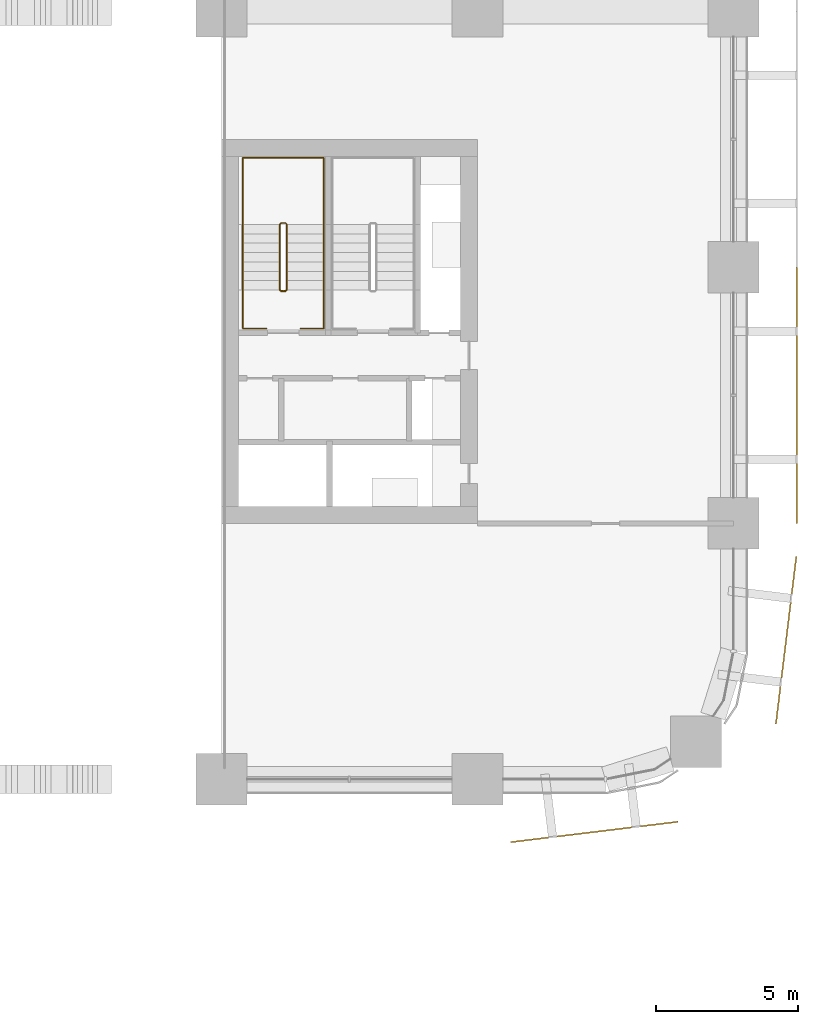
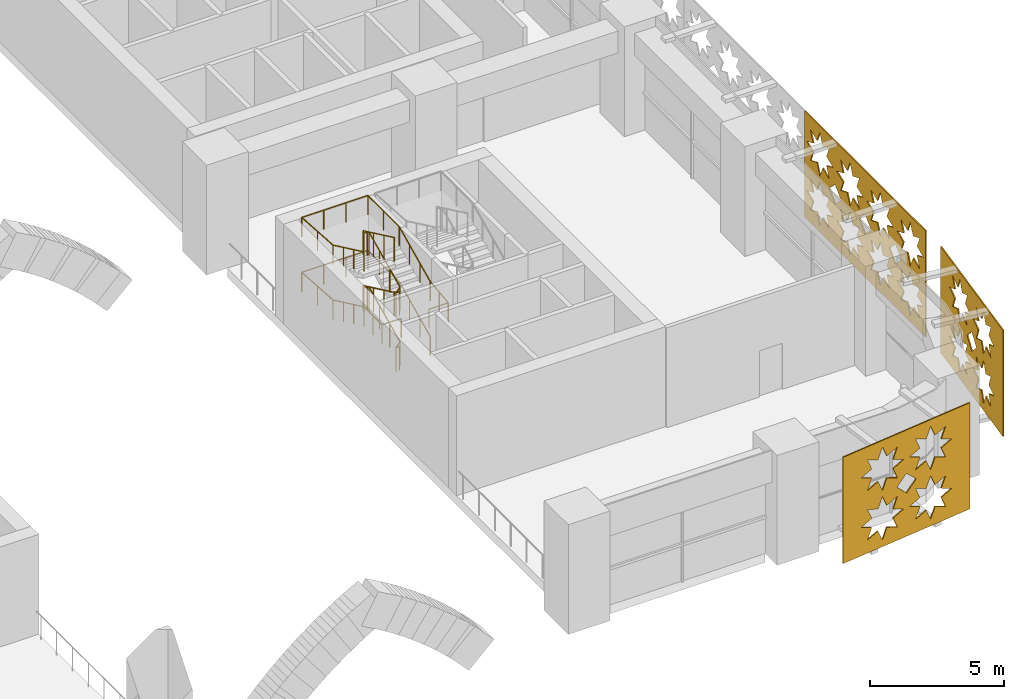
# One storey, part 34 of 40: 3 coverings, 3 railings.
"""IFC4 building model written with IfcOpenShell, lengths in metres."""

import ifcopenshell
import ifcopenshell.guid

model = None  # the IFC model being written
_history = None  # IfcOwnerHistory: only IFC2X3 demands one
_inside = {}  # id of a spatial element -> (the spatial element, [elements in it])
_under = {}  # id of a project, library or spatial element -> (it, [spatial elements below it])
_declared = {}  # id of a project -> (the project, [libraries it declares])
_typed = {}  # id of a type object -> (the type object, [elements of that type])
_made_of = {}  # id of a material, layer set ... -> (it, [elements and type objects made of it])


def new_model(schema):
    """Start an empty IFC model of exactly this schema.

    Asked for "IFC4X3", IfcOpenShell would pick the latest addendum, in which some entities
    have other attributes; the version numbers below select the first issue.
    IFC2X3 requires an IfcOwnerHistory on every rooted entity: one is made here for all.
    """
    global model, _history
    if schema == "IFC4X3":
        model = ifcopenshell.file(schema_version=(4, 3, 0, 0))
    else:
        model = ifcopenshell.file(schema=schema)
    _inside.clear()
    _under.clear()
    _declared.clear()
    _typed.clear()
    _made_of.clear()
    _history = None
    if model.schema == "IFC2X3":
        org = make("IfcOrganization", Name="unknown")
        user = make(
            "IfcPersonAndOrganization",
            ThePerson=make("IfcPerson", FamilyName="unknown"),
            TheOrganization=org,
        )
        app = make(
            "IfcApplication",
            ApplicationDeveloper=org,
            Version="unknown",
            ApplicationFullName="unknown",
            ApplicationIdentifier="unknown",
        )
        _history = make(
            "IfcOwnerHistory",
            OwningUser=user,
            OwningApplication=app,
            ChangeAction="ADDED",
            CreationDate=0,
        )
    return model


def make(cls, **values):
    """One entity of the class cls with the attributes given. An attribute that is None is left unset."""
    return model.create_entity(
        cls, **{name: value for name, value in values.items() if value is not None}
    )


def rooted(cls, **values):
    """An entity with a GlobalId (a new one), such as an element, a storey or a relation."""
    return make(cls, GlobalId=ifcopenshell.guid.new(), OwnerHistory=_history, **values)


def si_unit(unit_type, name, prefix=None):
    """IfcSIUnit, for example si_unit("LENGTHUNIT", "METRE", prefix="MILLI")."""
    return make("IfcSIUnit", UnitType=unit_type, Prefix=prefix, Name=name)


def assignment(units):
    """IfcUnitAssignment: the units of a project."""
    return None if units is None else make("IfcUnitAssignment", Units=units)


def point(xyz):
    """IfcCartesianPoint."""
    return None if xyz is None else make("IfcCartesianPoint", Coordinates=xyz)


def direction(xyz):
    """IfcDirection."""
    return None if xyz is None else make("IfcDirection", DirectionRatios=xyz)


def frame(location, z_axis=None, x_axis=None):
    """IfcAxis2Placement3D, a coordinate frame: its origin and axes. An axis left out is left unset."""
    return make(
        "IfcAxis2Placement3D",
        Location=point(location),
        Axis=direction(z_axis),
        RefDirection=direction(x_axis),
    )


def frame_2d(location, x_axis=None):
    """IfcAxis2Placement2D, a coordinate frame in the plane: its origin and x axis."""
    return make(
        "IfcAxis2Placement2D", Location=point(location), RefDirection=direction(x_axis)
    )


def origin():
    """The frame at (0, 0, 0) with its axes left unset."""
    return frame((0.0, 0.0, 0.0))


def origin_2d():
    """The frame at (0, 0) in the plane with its x axis left unset."""
    return frame_2d((0.0, 0.0))


def place(relative_to, where):
    """IfcLocalPlacement: puts the frame where relative to a parent placement (None: the world)."""
    return make(
        "IfcLocalPlacement", PlacementRelTo=relative_to, RelativePlacement=where
    )


def context(
    kind, dimensions, precision=None, world=None, true_north=None, identifier=None
):
    """IfcGeometricRepresentationContext, for example the 3D "Model" context."""
    return make(
        "IfcGeometricRepresentationContext",
        ContextIdentifier=identifier,
        ContextType=kind,
        CoordinateSpaceDimension=dimensions,
        Precision=precision,
        WorldCoordinateSystem=world,
        TrueNorth=true_north,
    )


def subcontext(parent, identifier, kind, view, scale=None):
    """IfcGeometricRepresentationSubContext, for example "Body" below "Model"."""
    return make(
        "IfcGeometricRepresentationSubContext",
        ContextIdentifier=identifier,
        ContextType=kind,
        ParentContext=parent,
        TargetScale=scale,
        TargetView=view,
    )


def project(units=None, contexts=None):
    """IfcProject with its units and contexts."""
    return rooted(
        "IfcProject",
        Name="project",
        RepresentationContexts=contexts,
        UnitsInContext=assignment(units),
    )


def spatial(cls, under=None, at=None, **own):
    """A site, building, storey or space (cls), placed at a placement, below another one or the project."""
    s = rooted(cls, ObjectPlacement=at, **own)
    if under is not None:
        _under.setdefault(under.id(), (under, []))[1].append(s)
    return s


def polyline(points):
    """IfcPolyline through the points."""
    return make("IfcPolyline", Points=[point(p) for p in points])


def profile(cls, at=None, kind="AREA", **sizes):
    """A parametric profile (cls). Its sizes go by their IFC names, for example OverallWidth=200.0."""
    return make(cls, ProfileType=kind, Position=at, **sizes)


def circle(**sizes):
    """IfcCircleProfileDef."""
    return profile("IfcCircleProfileDef", **sizes)


def outline(outer, holes=None, kind="AREA"):
    """IfcArbitraryClosedProfileDef: a profile drawn as a closed curve; with holes, ...WithVoids."""
    if holes is None:
        return make("IfcArbitraryClosedProfileDef", ProfileType=kind, OuterCurve=outer)
    return make(
        "IfcArbitraryProfileDefWithVoids",
        ProfileType=kind,
        OuterCurve=outer,
        InnerCurves=holes,
    )


def extrude(swept, where, along, depth):
    """IfcExtrudedAreaSolid: the profile swept, set in the frame where, extruded along a direction by depth."""
    return make(
        "IfcExtrudedAreaSolid",
        SweptArea=swept,
        Position=where,
        ExtrudedDirection=direction(along),
        Depth=depth,
    )


def shape(context_of_items, identifier, shape_type, items):
    """IfcShapeRepresentation: the items that make up one representation, for example the "Body"."""
    return make(
        "IfcShapeRepresentation",
        ContextOfItems=context_of_items,
        RepresentationIdentifier=identifier,
        RepresentationType=shape_type,
        Items=items,
    )


def material(Name=None, Category=None):
    """IfcMaterial."""
    return make("IfcMaterial", Name=Name, Category=Category)


def layer(
    of_material, thickness, ventilated=None, Name=None, Category=None, Priority=None
):
    """IfcMaterialLayer: one layer of a wall or slab, of a material (None: an air gap)."""
    return make(
        "IfcMaterialLayer",
        Material=of_material,
        LayerThickness=thickness,
        IsVentilated=ventilated,
        Name=Name,
        Category=Category,
        Priority=Priority,
    )


def layer_set(layers, Name=None):
    """IfcMaterialLayerSet."""
    return make("IfcMaterialLayerSet", MaterialLayers=layers, LayerSetName=Name)


def made_of(thing, what):
    """Note that an element or type object is made of a material, layer set ...; save() writes the relation."""
    if what is not None:
        _made_of.setdefault(what.id(), (what, []))[1].append(thing)
    return thing


def type_object(cls, material=None, **own):
    """A type object (cls), such as IfcWallType, which elements share."""
    return made_of(rooted(cls, **own), material)


def element(
    cls,
    number,
    at=None,
    inside=None,
    cuts=None,
    type_object=None,
    material=None,
    context=None,
    identifier="Body",
    shape_type=None,
    held_by="IfcProductDefinitionShape",
    body=None,
    shapes=None,
    **own,
):
    """One element of the class cls, such as IfcWall. Its Tag is "e" and its number.

    at: its placement. inside: the storey or other place that contains it. cuts: it is an
    opening in that element (IfcRelVoidsElement). A single representation is given by context,
    identifier, shape_type and body (its items); several are given by shapes. held_by: the class
    of the entity that holds the representations. save() writes the other relations.
    """
    e = rooted(cls, Tag="e%d" % number, ObjectPlacement=at, **own)
    if body is not None:
        shapes = [shape(context, identifier, shape_type, body)]
    if shapes is not None:
        e.Representation = make(held_by, Representations=shapes)
    if inside is not None:
        _inside.setdefault(inside.id(), (inside, []))[1].append(e)
    if cuts is not None:
        rooted(
            "IfcRelVoidsElement", RelatingBuildingElement=cuts, RelatedOpeningElement=e
        )
    if type_object is not None:
        _typed.setdefault(type_object.id(), (type_object, []))[1].append(e)
    return made_of(e, material)


def aggregate(whole, parts):
    """IfcRelAggregates: a whole, such as a stair, and the parts it consists of."""
    return rooted("IfcRelAggregates", RelatingObject=whole, RelatedObjects=parts)


def save(model, path):
    """Write the relations noted so far, then the file.

    IfcRelAggregates (storeys below a building ...), IfcRelContainedInSpatialStructure (elements
    in a storey), IfcRelDefinesByType, IfcRelAssociatesMaterial and IfcRelDeclares: one each for
    every whole, place, type object, material and project.
    """
    for whole, parts in _under.values():
        aggregate(whole, parts)
    for where, things in _inside.values():
        rooted(
            "IfcRelContainedInSpatialStructure",
            RelatedElements=things,
            RelatingStructure=where,
        )
    for kind, things in _typed.values():
        rooted("IfcRelDefinesByType", RelatedObjects=things, RelatingType=kind)
    for what, things in _made_of.values():
        rooted("IfcRelAssociatesMaterial", RelatedObjects=things, RelatingMaterial=what)
    for by, libraries in _declared.values():
        rooted("IfcRelDeclares", RelatingContext=by, RelatedDefinitions=libraries)
    model.write(path)


model = new_model("IFC4")

# Units and contexts
model_context = context("Model", 3, precision=1e-05, world=origin(), true_north=direction((0.0, 1.0)))
body_context = subcontext(model_context, "Body", "Model", "MODEL_VIEW")
ifc_project = project(units=[si_unit("LENGTHUNIT", "METRE"), si_unit("AREAUNIT", "SQUARE_METRE"), si_unit("VOLUMEUNIT", "CUBIC_METRE"), si_unit("PLANEANGLEUNIT", "RADIAN"), si_unit("MASSUNIT", "GRAM", prefix="KILO")], contexts=[model_context])

# Site, building, storey
site_placement = place(None, origin())
site = spatial("IfcSite", under=ifc_project, at=site_placement, CompositionType="ELEMENT")
building_placement = place(site_placement, origin())
building = spatial("IfcBuilding", under=site, at=building_placement, Name="Tessera Arch", CompositionType="ELEMENT")
storey_placement = place(building_placement, frame((0.0, 0.0, 21.0)))
storey = spatial("IfcBuildingStorey", under=building, at=storey_placement, Name="L03", CompositionType="ELEMENT", Elevation=21.0)

# Coverings
ifc_material_1 = material(Name="Anodised aluminium pale metal", Category="aluminium")
ifc_layer = layer(ifc_material_1, 0.050048828125)
ifc_layer_set = layer_set([ifc_layer], Name="Base lattice panel pale metal")
covering_type = type_object("IfcCoveringType", Name="Base lattice panel pale metal", PredefinedType="CLADDING", material=ifc_layer_set)
covering_1_placement = place(storey_placement, frame((56.199951171875, 9.0, 5.0), z_axis=(-1.0, 0.0, 0.0), x_axis=(0.0, 1.0, 0.0)))
element("IfcCovering", 1, at=covering_1_placement, inside=storey, type_object=covering_type, Name="Base lattice panel E54.0/0 L03", PredefinedType="CLADDING", context=body_context, shape_type="SweptSolid", body=[
    extrude(outline(polyline([(0.0, 0.0), (9.0, 0.0), (9.0, 4.840087890625), (0.0, 4.840087890625), (0.0, 0.0)]), holes=[polyline([(2.114990234375, 3.544921875), (1.6240234375, 3.337890625), (1.824951171875, 2.844970703125), (1.33203125, 3.0458984375), (1.125, 2.554931640625), (0.91796875, 3.0458984375), (0.425048828125, 2.844970703125), (0.6259765625, 3.337890625), (0.135009765625, 3.544921875), (0.6259765625, 3.751953125), (0.425048828125, 4.2451171875), (0.91796875, 4.0439453125), (1.125, 4.534912109375), (1.33203125, 4.0439453125), (1.824951171875, 4.2451171875), (1.6240234375, 3.751953125), (2.114990234375, 3.544921875)]), polyline([(2.114990234375, 1.294921875), (1.6240234375, 1.087890625), (1.824951171875, 0.594970703125), (1.33203125, 0.7958984375), (1.125, 0.304931640625), (0.91796875, 0.7958984375), (0.425048828125, 0.594970703125), (0.6259765625, 1.087890625), (0.135009765625, 1.294921875), (0.6259765625, 1.501953125), (0.425048828125, 1.9951171875), (0.91796875, 1.7939453125), (1.125, 2.284912109375), (1.33203125, 1.7939453125), (1.824951171875, 1.9951171875), (1.6240234375, 1.501953125), (2.114990234375, 1.294921875)]), polyline([(4.364990234375, 3.544921875), (3.8740234375, 3.337890625), (4.074951171875, 2.844970703125), (3.58203125, 3.0458984375), (3.375, 2.554931640625), (3.16796875, 3.0458984375), (2.675048828125, 2.844970703125), (2.8759765625, 3.337890625), (2.385009765625, 3.544921875), (2.8759765625, 3.751953125), (2.675048828125, 4.2451171875), (3.16796875, 4.0439453125), (3.375, 4.534912109375), (3.58203125, 4.0439453125), (4.074951171875, 4.2451171875), (3.8740234375, 3.751953125), (4.364990234375, 3.544921875)]), polyline([(4.364990234375, 1.294921875), (3.8740234375, 1.087890625), (4.074951171875, 0.594970703125), (3.58203125, 0.7958984375), (3.375, 0.304931640625), (3.16796875, 0.7958984375), (2.675048828125, 0.594970703125), (2.8759765625, 1.087890625), (2.385009765625, 1.294921875), (2.8759765625, 1.501953125), (2.675048828125, 1.9951171875), (3.16796875, 1.7939453125), (3.375, 2.284912109375), (3.58203125, 1.7939453125), (4.074951171875, 1.9951171875), (3.8740234375, 1.501953125), (4.364990234375, 1.294921875)]), polyline([(6.614990234375, 3.544921875), (6.1240234375, 3.337890625), (6.324951171875, 2.844970703125), (5.83203125, 3.0458984375), (5.625, 2.554931640625), (5.41796875, 3.0458984375), (4.925048828125, 2.844970703125), (5.1259765625, 3.337890625), (4.635009765625, 3.544921875), (5.1259765625, 3.751953125), (4.925048828125, 4.2451171875), (5.41796875, 4.0439453125), (5.625, 4.534912109375), (5.83203125, 4.0439453125), (6.324951171875, 4.2451171875), (6.1240234375, 3.751953125), (6.614990234375, 3.544921875)]), polyline([(6.614990234375, 1.294921875), (6.1240234375, 1.087890625), (6.324951171875, 0.594970703125), (5.83203125, 0.7958984375), (5.625, 0.304931640625), (5.41796875, 0.7958984375), (4.925048828125, 0.594970703125), (5.1259765625, 1.087890625), (4.635009765625, 1.294921875), (5.1259765625, 1.501953125), (4.925048828125, 1.9951171875), (5.41796875, 1.7939453125), (5.625, 2.284912109375), (5.83203125, 1.7939453125), (6.324951171875, 1.9951171875), (6.1240234375, 1.501953125), (6.614990234375, 1.294921875)]), polyline([(8.864990234375, 3.544921875), (8.3740234375, 3.337890625), (8.574951171875, 2.844970703125), (8.08203125, 3.0458984375), (7.875, 2.554931640625), (7.66796875, 3.0458984375), (7.175048828125, 2.844970703125), (7.3759765625, 3.337890625), (6.885009765625, 3.544921875), (7.3759765625, 3.751953125), (7.175048828125, 4.2451171875), (7.66796875, 4.0439453125), (7.875, 4.534912109375), (8.08203125, 4.0439453125), (8.574951171875, 4.2451171875), (8.3740234375, 3.751953125), (8.864990234375, 3.544921875)]), polyline([(8.864990234375, 1.294921875), (8.3740234375, 1.087890625), (8.574951171875, 0.594970703125), (8.08203125, 0.7958984375), (7.875, 0.304931640625), (7.66796875, 0.7958984375), (7.175048828125, 0.594970703125), (7.3759765625, 1.087890625), (6.885009765625, 1.294921875), (7.3759765625, 1.501953125), (7.175048828125, 1.9951171875), (7.66796875, 1.7939453125), (7.875, 2.284912109375), (8.08203125, 1.7939453125), (8.574951171875, 1.9951171875), (8.3740234375, 1.501953125), (8.864990234375, 1.294921875)]), polyline([(2.699951171875, 2.419921875), (2.25, 1.969970703125), (1.800048828125, 2.419921875), (2.25, 2.8701171875), (2.699951171875, 2.419921875)]), polyline([(4.949951171875, 2.419921875), (4.5, 1.969970703125), (4.050048828125, 2.419921875), (4.5, 2.8701171875), (4.949951171875, 2.419921875)]), polyline([(7.199951171875, 2.419921875), (6.75, 1.969970703125), (6.300048828125, 2.419921875), (6.75, 2.8701171875), (7.199951171875, 2.419921875)])]), origin(), (0.0, 0.0, -1.0), 0.050048828125),
])
covering_2_placement = place(storey_placement, frame((46.166015625, -2.183837890625, 5.0), z_axis=(-0.120966249049, 0.992656620686, 0.0), x_axis=(0.992656620686, 0.120966249049, 0.0)))
element("IfcCovering", 2, at=covering_2_placement, inside=storey, type_object=covering_type, Name="Base lattice panel S0.36/1 L03", PredefinedType="CLADDING", context=body_context, shape_type="SweptSolid", body=[
    extrude(outline(polyline([(0.0, 0.0), (5.925593962252626, 0.0), (5.925593962252626, 4.840087890625), (0.0, 4.840087890625), (0.0, 0.0)]), holes=[polyline([(2.828132860395926, 3.544921875), (2.336987823767969, 3.337890625), (2.53815207532478, 2.844970703125), (2.0440693322277617, 3.0458984375), (1.8379695261883193, 2.554931640625), (1.6311131439498763, 3.0458984375), (1.1379997920839962, 2.844970703125), (1.3391640436408068, 3.337890625), (0.84801900701285, 3.544921875), (1.3391640436408068, 3.751953125), (1.1379997920839962, 4.2451171875), (1.6311131439498763, 4.0439453125), (1.8379695261883193, 4.534912109375), (2.0440693322277617, 4.0439453125), (2.53815207532478, 4.2451171875), (2.336987823767969, 3.751953125), (2.828132860395926, 3.544921875)]), polyline([(2.828132860395926, 1.294921875), (2.336987823767969, 1.087890625), (2.53815207532478, 0.594970703125), (2.0440693322277617, 0.7958984375), (1.8379695261883193, 0.304931640625), (1.6311131439498763, 0.7958984375), (1.1379997920839962, 0.594970703125), (1.3391640436408068, 1.087890625), (0.84801900701285, 1.294921875), (1.3391640436408068, 1.501953125), (1.1379997920839962, 1.9951171875), (1.6311131439498763, 1.7939453125), (1.8379695261883193, 2.284912109375), (2.0440693322277617, 1.7939453125), (2.53815207532478, 1.9951171875), (2.336987823767969, 1.501953125), (2.828132860395926, 1.294921875)]), polyline([(5.078059650855345, 3.544921875), (4.5871569620351735, 3.337890625), (4.7880788657841995, 2.844970703125), (4.294208937719319, 3.0458984375), (4.088109131679876, 2.554931640625), (3.8810399344092956, 3.0458984375), (3.3881393975755536, 2.844970703125), (3.5890908341002263, 3.337890625), (3.0979457974722693, 3.544921875), (3.5890908341002263, 3.751953125), (3.3881393975755536, 4.2451171875), (3.8810399344092956, 4.0439453125), (4.088109131679876, 4.534912109375), (4.294208937719319, 4.0439453125), (4.7880788657841995, 4.2451171875), (4.5871569620351735, 3.751953125), (5.078059650855345, 3.544921875)]), polyline([(5.078059650855345, 1.294921875), (4.5871569620351735, 1.087890625), (4.7880788657841995, 0.594970703125), (4.294208937719319, 0.7958984375), (4.088109131679876, 0.304931640625), (3.8810399344092956, 0.7958984375), (3.3881393975755536, 0.594970703125), (3.5890908341002263, 1.087890625), (3.0979457974722693, 1.294921875), (3.5890908341002263, 1.501953125), (3.3881393975755536, 1.9951171875), (3.8810399344092956, 1.7939453125), (4.088109131679876, 2.284912109375), (4.294208937719319, 1.7939453125), (4.7880788657841995, 1.9951171875), (4.5871569620351735, 1.501953125), (5.078059650855345, 1.294921875)]), polyline([(3.4130004522452033, 2.419921875), (2.96316050283799, 1.969970703125), (2.5130782056229926, 2.419921875), (2.96316050283799, 2.8701171875), (3.4130004522452033, 2.419921875)])]), origin(), (0.0, 0.0, -1.0), 0.050048828125),
])
covering_3_placement = place(storey_placement, frame((55.467041015625, 1.951904296875, 5.0), z_axis=(-0.992656620686, 0.120966249049, 0.0), x_axis=(0.120966249049, 0.992656620686, 0.0)))
element("IfcCovering", 3, at=covering_3_placement, inside=storey, type_object=covering_type, Name="Base lattice panel E54.0/5 L03", PredefinedType="CLADDING", context=body_context, shape_type="SweptSolid", body=[
    extrude(outline(polyline([(0.0, 0.0), (5.925593962252626, 0.0), (5.925593962252626, 4.840087890625), (0.0, 4.840087890625), (0.0, 0.0)]), holes=[polyline([(2.8278905125881417, 3.544921875), (2.336987823767969, 3.337890625), (2.5379392602926423, 2.844970703125), (2.0440693322277617, 3.0458984375), (1.8379695261883193, 2.554931640625), (1.6308707961420916, 3.0458984375), (1.1379997920839962, 2.844970703125), (1.3389512286086689, 3.337890625), (0.84801900701285, 3.544921875), (1.3389512286086689, 3.751953125), (1.1379997920839962, 4.2451171875), (1.6308707961420916, 4.0439453125), (1.8379695261883193, 4.534912109375), (2.0440693322277617, 4.0439453125), (2.5379392602926423, 4.2451171875), (2.336987823767969, 3.751953125), (2.8278905125881417, 3.544921875)]), polyline([(2.8278905125881417, 1.294921875), (2.336987823767969, 1.087890625), (2.5379392602926423, 0.594970703125), (2.0440693322277617, 0.7958984375), (1.8379695261883193, 0.304931640625), (1.6308707961420916, 0.7958984375), (1.1379997920839962, 0.594970703125), (1.3389512286086689, 1.087890625), (0.84801900701285, 1.294921875), (1.3389512286086689, 1.501953125), (1.1379997920839962, 1.9951171875), (1.6308707961420916, 1.7939453125), (1.8379695261883193, 2.284912109375), (2.0440693322277617, 1.7939453125), (2.5379392602926423, 1.9951171875), (2.336987823767969, 1.501953125), (2.8278905125881417, 1.294921875)]), polyline([(5.078059650855345, 3.544921875), (4.586914614227389, 3.337890625), (4.788108398559846, 2.844970703125), (4.293996122687181, 3.0458984375), (4.088138664455523, 2.554931640625), (3.8810399344092956, 3.0458984375), (3.3879265825434155, 2.844970703125), (3.5890908341002263, 3.337890625), (3.0979457974722693, 3.544921875), (3.5890908341002263, 3.751953125), (3.3879265825434155, 4.2451171875), (3.8810399344092956, 4.0439453125), (4.088138664455523, 4.534912109375), (4.293996122687181, 4.0439453125), (4.788108398559846, 4.2451171875), (4.586914614227389, 3.751953125), (5.078059650855345, 3.544921875)]), polyline([(5.078059650855345, 1.294921875), (4.586914614227389, 1.087890625), (4.788108398559846, 0.594970703125), (4.293996122687181, 0.7958984375), (4.088138664455523, 0.304931640625), (3.8810399344092956, 0.7958984375), (3.3879265825434155, 0.594970703125), (3.5890908341002263, 1.087890625), (3.0979457974722693, 1.294921875), (3.5890908341002263, 1.501953125), (3.3879265825434155, 1.9951171875), (3.8810399344092956, 1.7939453125), (4.088138664455523, 2.284912109375), (4.293996122687181, 1.7939453125), (4.788108398559846, 1.9951171875), (4.586914614227389, 1.501953125), (5.078059650855345, 1.294921875)]), polyline([(3.4130004522452033, 2.419921875), (2.96316050283799, 1.969970703125), (2.5130782056229926, 2.419921875), (2.96316050283799, 2.8701171875), (3.4130004522452033, 2.419921875)])]), origin(), (0.0, 0.0, -1.0), 0.050048828125),
])

# Railings
ifc_material_2 = material(Name="Painted steel balustrade", Category="steel")
railing_type_1 = type_object("IfcRailingType", Name="Stair guard 1100", PredefinedType="GUARDRAIL", material=ifc_material_2)
railing_1_placement = place(storey_placement, frame((38.25, 17.14990234375, 0.0)))
element("IfcRailing", 4, at=railing_1_placement, inside=storey, type_object=railing_type_1, Name="L03 S3a stair guard 1", PredefinedType="GUARDRAIL", context=body_context, shape_type="SweptSolid", body=[
    extrude(circle(Radius=0.02392578125, at=origin_2d()), frame((0.00390625, 0.0, 1.076171875), z_axis=(-1.0, 0.0, 0.0), x_axis=(0.0, -1.0, 0.0)), (0.0, 0.0, 1.0), 0.157958984375),
    extrude(circle(Radius=0.02392578125, at=origin_2d()), frame((-0.153076171875, -0.000732421875, 1.07373046875), z_axis=(0.77305925043, 0.19350078918, 0.604100024756), x_axis=(-0.242814311512, 0.970072785993, 0.0)), (0.0, 0.0, 1.0), 0.2666015625),
    extrude(circle(Radius=0.02392578125, at=origin_2d()), frame((0.050048828125, 0.04638671875, 1.23046875), z_axis=(0.0, 0.903811734687, 0.427930307694), x_axis=(-1.0, 0.0, 0.0)), (0.0, 0.0, 1.0), 2.56396484375),
    extrude(circle(Radius=0.02392578125, at=origin_2d()), frame((0.052978515625, 2.357177734375, 2.326171875), z_axis=(-0.707106781187, 0.707106781187, 0.0), x_axis=(-0.707106781187, -0.707106781187, 0.0)), (0.0, 0.0, 1.0), 0.078857421875),
    extrude(circle(Radius=0.02392578125, at=origin_2d()), frame((0.00390625, 2.41015625, 2.326171875), z_axis=(-1.0, 0.0, 0.0), x_axis=(0.0, -1.0, 0.0)), (0.0, 0.0, 1.0), 0.157958984375),
    extrude(circle(Radius=0.02392578125, at=origin_2d()), frame((-0.148681640625, 2.411376953125, 2.322509765625), z_axis=(-0.29177245553, -0.29177245553, 0.91089937336), x_axis=(0.707106781187, -0.707106781187, 0.0)), (0.0, 0.0, 1.0), 0.179443359375),
    extrude(circle(Radius=0.02392578125, at=origin_2d()), frame((-0.199951171875, 2.36376953125, 2.48046875), z_axis=(0.0, -0.903811734687, 0.427930307694), x_axis=(1.0, 0.0, 0.0)), (0.0, 0.0, 1.0), 2.56396484375),
    extrude(circle(Radius=0.02392578125, at=origin_2d()), frame((-0.203857421875, 0.051025390625, 3.576171875), z_axis=(0.970072785993, -0.242814311512, 0.0), x_axis=(0.242814311512, 0.970072785993, 0.0)), (0.0, 0.0, 1.0), 0.214111328125),
    extrude(circle(Radius=0.02392578125, at=origin_2d()), frame((0.00390625, 0.0, 3.576171875), z_axis=(-1.0, 0.0, 0.0), x_axis=(0.0, -1.0, 0.0)), (0.0, 0.0, 1.0), 0.157958984375),
    extrude(circle(Radius=0.02392578125, at=origin_2d()), frame((-0.153076171875, -0.000732421875, 3.57373046875), z_axis=(0.77305925043, 0.19350078918, 0.604100024756), x_axis=(-0.242814311512, 0.970072785993, 0.0)), (0.0, 0.0, 1.0), 0.2666015625),
    extrude(circle(Radius=0.02392578125, at=origin_2d()), frame((0.050048828125, 0.04638671875, 3.73046875), z_axis=(0.0, 0.903811734687, 0.427930307694), x_axis=(-1.0, 0.0, 0.0)), (0.0, 0.0, 1.0), 2.56396484375),
    extrude(circle(Radius=0.02392578125, at=origin_2d()), frame((0.052978515625, 2.357177734375, 4.826171875), z_axis=(-0.707106781187, 0.707106781187, 0.0), x_axis=(-0.707106781187, -0.707106781187, 0.0)), (0.0, 0.0, 1.0), 0.078857421875),
    extrude(circle(Radius=0.02392578125, at=origin_2d()), frame((0.00390625, 2.41015625, 4.826171875), z_axis=(-1.0, 0.0, 0.0), x_axis=(0.0, -1.0, 0.0)), (0.0, 0.0, 1.0), 0.157958984375),
    extrude(circle(Radius=0.02392578125, at=origin_2d()), frame((-0.148681640625, 2.411376953125, 4.822509765625), z_axis=(-0.29177245553, -0.29177245553, 0.91089937336), x_axis=(0.707106781187, -0.707106781187, 0.0)), (0.0, 0.0, 1.0), 0.179443359375),
    extrude(circle(Radius=0.02392578125, at=origin_2d()), frame((-0.199951171875, 2.36376953125, 4.98046875), z_axis=(0.0, -0.903811734687, 0.427930307694), x_axis=(1.0, 0.0, 0.0)), (0.0, 0.0, 1.0), 2.56396484375),
    extrude(circle(Radius=0.02099609375, at=origin_2d()), origin(), (0.0, 0.0, 1.0), 1.06396484375),
    extrude(circle(Radius=0.02099609375, at=origin_2d()), frame((-0.14990234375, 0.0, 0.0)), (0.0, 0.0, 1.0), 1.06396484375),
    extrude(circle(Radius=0.02099609375, at=origin_2d()), frame((0.050048828125, 0.050048828125, 0.15625)), (0.0, 0.0, 1.0), 1.06396484375),
    extrude(circle(Radius=0.02099609375, at=origin_2d()), frame((0.050048828125, 0.820068359375, 0.520751953125)), (0.0, 0.0, 1.0), 1.06396484375),
    extrude(circle(Radius=0.02099609375, at=origin_2d()), frame((0.050048828125, 1.590087890625, 0.885498046875)), (0.0, 0.0, 1.0), 1.06396484375),
    extrude(circle(Radius=0.02099609375, at=origin_2d()), frame((0.050048828125, 2.360107421875, 1.25)), (0.0, 0.0, 1.0), 1.06396484375),
    extrude(circle(Radius=0.02099609375, at=origin_2d()), frame((0.0, 2.41015625, 1.25)), (0.0, 0.0, 1.0), 1.06396484375),
    extrude(circle(Radius=0.02099609375, at=origin_2d()), frame((-0.14990234375, 2.41015625, 1.25)), (0.0, 0.0, 1.0), 1.06396484375),
    extrude(circle(Radius=0.02099609375, at=origin_2d()), frame((-0.199951171875, 2.360107421875, 1.40625)), (0.0, 0.0, 1.0), 1.06396484375),
    extrude(circle(Radius=0.02099609375, at=origin_2d()), frame((-0.199951171875, 1.590087890625, 1.770751953125)), (0.0, 0.0, 1.0), 1.06396484375),
    extrude(circle(Radius=0.02099609375, at=origin_2d()), frame((-0.199951171875, 0.820068359375, 2.135498046875)), (0.0, 0.0, 1.0), 1.06396484375),
    extrude(circle(Radius=0.02099609375, at=origin_2d()), frame((-0.199951171875, 0.050048828125, 2.5)), (0.0, 0.0, 1.0), 1.06396484375),
    extrude(circle(Radius=0.02099609375, at=origin_2d()), frame((0.0, 0.0, 2.5)), (0.0, 0.0, 1.0), 1.06396484375),
    extrude(circle(Radius=0.02099609375, at=origin_2d()), frame((-0.14990234375, 0.0, 2.5)), (0.0, 0.0, 1.0), 1.06396484375),
    extrude(circle(Radius=0.02099609375, at=origin_2d()), frame((0.050048828125, 0.050048828125, 2.65625)), (0.0, 0.0, 1.0), 1.06396484375),
    extrude(circle(Radius=0.02099609375, at=origin_2d()), frame((0.050048828125, 0.820068359375, 3.020751953125)), (0.0, 0.0, 1.0), 1.06396484375),
    extrude(circle(Radius=0.02099609375, at=origin_2d()), frame((0.050048828125, 1.590087890625, 3.385498046875)), (0.0, 0.0, 1.0), 1.06396484375),
    extrude(circle(Radius=0.02099609375, at=origin_2d()), frame((0.050048828125, 2.360107421875, 3.75)), (0.0, 0.0, 1.0), 1.06396484375),
    extrude(circle(Radius=0.02099609375, at=origin_2d()), frame((0.0, 2.41015625, 3.75)), (0.0, 0.0, 1.0), 1.06396484375),
    extrude(circle(Radius=0.02099609375, at=origin_2d()), frame((-0.14990234375, 2.41015625, 3.75)), (0.0, 0.0, 1.0), 1.06396484375),
    extrude(circle(Radius=0.02099609375, at=origin_2d()), frame((-0.199951171875, 2.360107421875, 3.90625)), (0.0, 0.0, 1.0), 1.06396484375),
    extrude(circle(Radius=0.02099609375, at=origin_2d()), frame((-0.199951171875, 1.590087890625, 4.270751953125)), (0.0, 0.0, 1.0), 1.06396484375),
    extrude(circle(Radius=0.02099609375, at=origin_2d()), frame((-0.199951171875, 0.820068359375, 4.635498046875)), (0.0, 0.0, 1.0), 1.06396484375),
    extrude(circle(Radius=0.02099609375, at=origin_2d()), frame((-0.199951171875, 0.050048828125, 5.0)), (0.0, 0.0, 1.0), 1.06396484375),
])
ifc_material_3 = material(Name="Painted steel handrail", Category="steel")
railing_type_2 = type_object("IfcRailingType", Name="Stair handrail 900", PredefinedType="HANDRAIL", material=ifc_material_3)
railing_2_placement = place(storey_placement, frame((39.60009765625, 17.199951171875, 0.15625)))
element("IfcRailing", 5, at=railing_2_placement, inside=storey, type_object=railing_type_2, Name="L03 S3a stair handrail", PredefinedType="HANDRAIL", context=body_context, shape_type="SweptSolid", body=[
    extrude(circle(Radius=0.02392578125, at=origin_2d()), frame((0.0, -0.003662109375, 0.8740234375), z_axis=(0.0, 0.903811734687, 0.427930307694), x_axis=(-1.0, 0.0, 0.0)), (0.0, 0.0, 1.0), 2.56396484375),
    extrude(circle(Radius=0.02392578125, at=origin_2d()), frame((0.0, 2.30615234375, 1.9697265625), z_axis=(0.0, 1.0, 0.0), x_axis=(-1.0, 0.0, 0.0)), (0.0, 0.0, 1.0), 2.34814453125),
    extrude(circle(Radius=0.02392578125, at=origin_2d()), frame((0.00390625, 4.650146484375, 1.9697265625), z_axis=(-1.0, 0.0, 0.0), x_axis=(0.0, -1.0, 0.0)), (0.0, 0.0, 1.0), 2.858154296875),
    extrude(circle(Radius=0.02392578125, at=origin_2d()), frame((-2.85009765625, 4.654052734375, 1.96923828125), z_axis=(0.0, -0.997778243323, 0.066622647441), x_axis=(1.0, 0.0, 0.0)), (0.0, 0.0, 1.0), 2.353271484375),
    extrude(circle(Radius=0.02392578125, at=origin_2d()), frame((-2.85009765625, 2.313720703125, 2.1240234375), z_axis=(0.0, -0.903811734687, 0.427930307694), x_axis=(1.0, 0.0, 0.0)), (0.0, 0.0, 1.0), 2.56396484375),
    extrude(circle(Radius=0.02392578125, at=origin_2d()), frame((-2.85009765625, 0.00390625, 3.2197265625), z_axis=(0.0, -1.0, 0.0), x_axis=(1.0, 0.0, 0.0)), (0.0, 0.0, 1.0), 1.35791015625),
    extrude(circle(Radius=0.02392578125, at=origin_2d()), frame((-2.85400390625, -1.349853515625, 3.2197265625), z_axis=(1.0, 0.0, 0.0), x_axis=(0.0, 1.0, 0.0)), (0.0, 0.0, 1.0), 0.8330078125),
    extrude(circle(Radius=0.02099609375, at=origin_2d()), origin(), (0.0, 0.0, 1.0), 0.86376953125),
    extrude(circle(Radius=0.02099609375, at=origin_2d()), frame((0.0, 0.77001953125, 0.364501953125)), (0.0, 0.0, 1.0), 0.86376953125),
    extrude(circle(Radius=0.02099609375, at=origin_2d()), frame((0.0, 1.5400390625, 0.729248046875)), (0.0, 0.0, 1.0), 0.86376953125),
    extrude(circle(Radius=0.02099609375, at=origin_2d()), frame((0.0, 2.31005859375, 1.09375)), (0.0, 0.0, 1.0), 0.86376953125),
    extrude(circle(Radius=0.02099609375, at=origin_2d()), frame((0.0, 3.47998046875, 1.09375)), (0.0, 0.0, 1.0), 0.86376953125),
    extrude(circle(Radius=0.02099609375, at=origin_2d()), frame((0.0, 4.650146484375, 1.09375)), (0.0, 0.0, 1.0), 0.86376953125),
    extrude(circle(Radius=0.02099609375, at=origin_2d()), frame((-0.949951171875, 4.650146484375, 1.09375)), (0.0, 0.0, 1.0), 0.86376953125),
    extrude(circle(Radius=0.02099609375, at=origin_2d()), frame((-1.900146484375, 4.650146484375, 1.09375)), (0.0, 0.0, 1.0), 0.86376953125),
    extrude(circle(Radius=0.02099609375, at=origin_2d()), frame((-2.85009765625, 4.650146484375, 1.09375)), (0.0, 0.0, 1.0), 0.86376953125),
    extrude(circle(Radius=0.02099609375, at=origin_2d()), frame((-2.85009765625, 3.47998046875, 1.171875)), (0.0, 0.0, 1.0), 0.86376953125),
    extrude(circle(Radius=0.02099609375, at=origin_2d()), frame((-2.85009765625, 2.31005859375, 1.25)), (0.0, 0.0, 1.0), 0.86376953125),
    extrude(circle(Radius=0.02099609375, at=origin_2d()), frame((-2.85009765625, 1.5400390625, 1.614501953125)), (0.0, 0.0, 1.0), 0.86376953125),
    extrude(circle(Radius=0.02099609375, at=origin_2d()), frame((-2.85009765625, 0.77001953125, 1.979248046875)), (0.0, 0.0, 1.0), 0.86376953125),
    extrude(circle(Radius=0.02099609375, at=origin_2d()), frame((-2.85009765625, 0.0, 2.34375)), (0.0, 0.0, 1.0), 0.86376953125),
    extrude(circle(Radius=0.02099609375, at=origin_2d()), frame((-2.85009765625, -0.6748046875, 2.34375)), (0.0, 0.0, 1.0), 0.86376953125),
    extrude(circle(Radius=0.02099609375, at=origin_2d()), frame((-2.85009765625, -1.349853515625, 2.34375)), (0.0, 0.0, 1.0), 0.86376953125),
    extrude(circle(Radius=0.02099609375, at=origin_2d()), frame((-2.025146484375, -1.349853515625, 2.34375)), (0.0, 0.0, 1.0), 0.86376953125),
])
railing_3_placement = place(storey_placement, frame((38.77490234375, 15.85009765625, 2.5)))
element("IfcRailing", 6, at=railing_3_placement, inside=storey, type_object=railing_type_2, Name="L03 S3a stair handrail 2", PredefinedType="HANDRAIL", context=body_context, shape_type="SweptSolid", body=[
    extrude(circle(Radius=0.02392578125, at=origin_2d()), frame((-0.00390625, 0.0, 0.8759765625), z_axis=(1.0, 0.0, 0.0), x_axis=(0.0, 1.0, 0.0)), (0.0, 0.0, 1.0), 0.833251953125),
    extrude(circle(Radius=0.02392578125, at=origin_2d()), frame((0.8251953125, -0.00390625, 0.87548828125), z_axis=(0.0, 0.993367166886, 0.114985528451), x_axis=(-1.0, 0.0, 0.0)), (0.0, 0.0, 1.0), 1.366943359375),
    extrude(circle(Radius=0.02392578125, at=origin_2d()), frame((0.8251953125, 1.34619140625, 1.0302734375), z_axis=(0.0, 0.903811734687, 0.427930307694), x_axis=(-1.0, 0.0, 0.0)), (0.0, 0.0, 1.0), 2.56396484375),
    extrude(circle(Radius=0.02392578125, at=origin_2d()), frame((0.8251953125, 3.656005859375, 2.1259765625), z_axis=(0.0, 1.0, 0.0), x_axis=(-1.0, 0.0, 0.0)), (0.0, 0.0, 1.0), 2.34814453125),
    extrude(circle(Radius=0.02392578125, at=origin_2d()), frame((0.8291015625, 6.0, 2.1259765625), z_axis=(-1.0, 0.0, 0.0), x_axis=(0.0, -1.0, 0.0)), (0.0, 0.0, 1.0), 2.858154296875),
    extrude(circle(Radius=0.02392578125, at=origin_2d()), frame((-2.02490234375, 6.00390625, 2.12548828125), z_axis=(0.0, -0.997778243323, 0.066622647441), x_axis=(1.0, 0.0, 0.0)), (0.0, 0.0, 1.0), 2.353271484375),
    extrude(circle(Radius=0.02392578125, at=origin_2d()), frame((-2.02490234375, 3.66357421875, 2.2802734375), z_axis=(0.0, -0.903811734687, 0.427930307694), x_axis=(1.0, 0.0, 0.0)), (0.0, 0.0, 1.0), 2.56396484375),
    extrude(circle(Radius=0.02099609375, at=origin_2d()), origin(), (0.0, 0.0, 1.0), 0.86376953125),
    extrude(circle(Radius=0.02099609375, at=origin_2d()), frame((0.8251953125, 0.0, 0.0)), (0.0, 0.0, 1.0), 0.86376953125),
    extrude(circle(Radius=0.02099609375, at=origin_2d()), frame((0.8251953125, 0.6748046875, 0.078125)), (0.0, 0.0, 1.0), 0.86376953125),
    extrude(circle(Radius=0.02099609375, at=origin_2d()), frame((0.8251953125, 1.349853515625, 0.15625)), (0.0, 0.0, 1.0), 0.86376953125),
    extrude(circle(Radius=0.02099609375, at=origin_2d()), frame((0.8251953125, 2.119873046875, 0.520751953125)), (0.0, 0.0, 1.0), 0.86376953125),
    extrude(circle(Radius=0.02099609375, at=origin_2d()), frame((0.8251953125, 2.889892578125, 0.885498046875)), (0.0, 0.0, 1.0), 0.86376953125),
    extrude(circle(Radius=0.02099609375, at=origin_2d()), frame((0.8251953125, 3.659912109375, 1.25)), (0.0, 0.0, 1.0), 0.86376953125),
    extrude(circle(Radius=0.02099609375, at=origin_2d()), frame((0.8251953125, 4.830078125, 1.25)), (0.0, 0.0, 1.0), 0.86376953125),
    extrude(circle(Radius=0.02099609375, at=origin_2d()), frame((0.8251953125, 6.0, 1.25)), (0.0, 0.0, 1.0), 0.86376953125),
    extrude(circle(Radius=0.02099609375, at=origin_2d()), frame((-0.124755859375, 6.0, 1.25)), (0.0, 0.0, 1.0), 0.86376953125),
    extrude(circle(Radius=0.02099609375, at=origin_2d()), frame((-1.074951171875, 6.0, 1.25)), (0.0, 0.0, 1.0), 0.86376953125),
    extrude(circle(Radius=0.02099609375, at=origin_2d()), frame((-2.02490234375, 6.0, 1.25)), (0.0, 0.0, 1.0), 0.86376953125),
    extrude(circle(Radius=0.02099609375, at=origin_2d()), frame((-2.02490234375, 4.830078125, 1.328125)), (0.0, 0.0, 1.0), 0.86376953125),
    extrude(circle(Radius=0.02099609375, at=origin_2d()), frame((-2.02490234375, 3.659912109375, 1.40625)), (0.0, 0.0, 1.0), 0.86376953125),
    extrude(circle(Radius=0.02099609375, at=origin_2d()), frame((-2.02490234375, 2.889892578125, 1.770751953125)), (0.0, 0.0, 1.0), 0.86376953125),
    extrude(circle(Radius=0.02099609375, at=origin_2d()), frame((-2.02490234375, 2.119873046875, 2.135498046875)), (0.0, 0.0, 1.0), 0.86376953125),
    extrude(circle(Radius=0.02099609375, at=origin_2d()), frame((-2.02490234375, 1.349853515625, 2.5)), (0.0, 0.0, 1.0), 0.86376953125),
])

save(model, "model.ifc")
